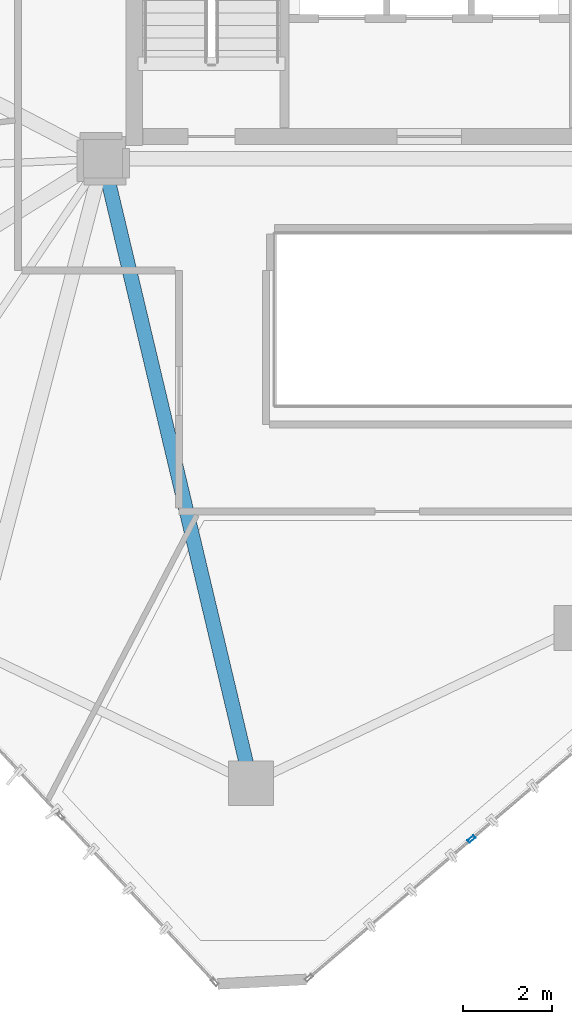
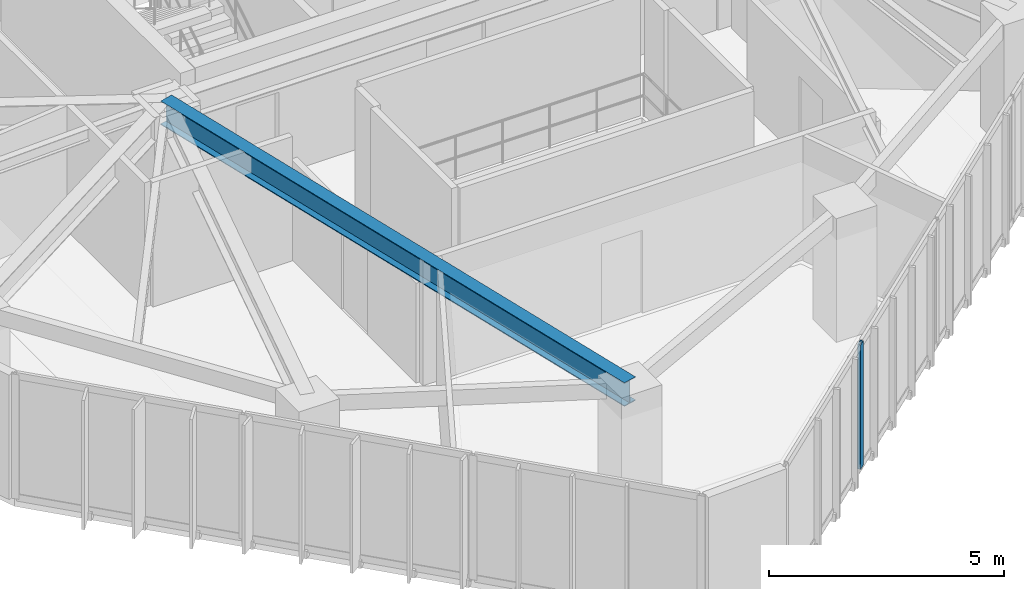
# One storey, part 4 of 20: 1 beam, 1 member, 1 element without a shape of its own.
"""IFC4 building model written with IfcOpenShell, lengths in metres."""

from ifc_helpers import new_model, si_unit, direction, frame, origin, origin_2d, place, context, subcontext, project, spatial, hollow_rectangle, i_section, extrude, source, transform, mapped, material, layer, layer_set, material_profile, profile_set, type_object, type_shapes, element, aggregate, save


model = new_model("IFC4")

# Units and contexts
model_context = context("Model", 3, precision=1e-05, world=origin(), true_north=direction((0.0, 1.0)))
body_context = subcontext(model_context, "Body", "Model", "MODEL_VIEW")
ifc_project = project(units=[si_unit("LENGTHUNIT", "METRE"), si_unit("AREAUNIT", "SQUARE_METRE"), si_unit("VOLUMEUNIT", "CUBIC_METRE"), si_unit("PLANEANGLEUNIT", "RADIAN"), si_unit("MASSUNIT", "GRAM", prefix="KILO")], contexts=[model_context])

# Site, building, storey
site_placement = place(None, origin())
site = spatial("IfcSite", under=ifc_project, at=site_placement, CompositionType="ELEMENT")
building_placement = place(site_placement, origin())
building = spatial("IfcBuilding", under=site, at=building_placement, Name="Talar Marvaseh", CompositionType="ELEMENT")
storey_placement = place(building_placement, frame((0.0, 0.0, 211.699951171875)))
storey = spatial("IfcBuildingStorey", under=building, at=storey_placement, Name="L55", CompositionType="ELEMENT", Elevation=211.699951171875)

# Beam
ifc_material_1 = material(Name="Steel S355", Category="steel")
ifc_material_profile_1 = material_profile(ifc_material_1, i_section(OverallWidth=0.324951171875, OverallDepth=0.615966796875, WebThickness=0.013916015625, FlangeThickness=0.021484375, at=origin_2d()), Name="W610x174")
ifc_profile_set_1 = profile_set([ifc_material_profile_1], Name="Steel S355")
beam_type = type_object("IfcBeamType", Name="Zone 3 Radial Floor Girder W610x174", PredefinedType="BEAM", material=ifc_profile_set_1)
beam_placement = place(storey_placement, frame((22.014892578125, 11.51904296875, 2.922119140625), z_axis=(-0.230707708791, 0.973023099985, 0.0), x_axis=(-0.973023099985, -0.230707708791, 0.0)))
element("IfcBeam", 1, at=beam_placement, inside=storey, type_object=beam_type, Name="L55 Zone 3 Radial Floor Girder W610x174", PredefinedType="BEAM", context=body_context, shape_type="SweptSolid", body=[
    extrude(i_section(OverallWidth=0.324951171875, OverallDepth=0.615966796875, WebThickness=0.013916015625, FlangeThickness=0.021484375, at=origin_2d()), origin(), (0.0, 0.0, 1.0), 14.36865234375),
])

# Curtain wall, member
ifc_material_2 = material(Name="Architectural Aluminium", Category="aluminium")
ifc_layer = layer(ifc_material_2, 0.18994140625)
ifc_layer_set = layer_set([ifc_layer], Name="Architectural Aluminium")
curtain_wall_type = type_object("IfcCurtainWallType", Name="Unitised Solar Atelier Curtain Wall Z3", PredefinedType="NOTDEFINED", material=ifc_layer_set)
curtain_wall_placement = place(storey_placement, origin())
curtain_wall = element("IfcCurtainWall", 2, at=curtain_wall_placement, inside=storey, type_object=curtain_wall_type, Name="L55 Unitised Solar Atelier Curtain Wall Z3", PredefinedType="NOTDEFINED")
ifc_material_profile_2 = material_profile(ifc_material_2, hollow_rectangle(XDim=0.074951171875, YDim=0.179931640625, WallThickness=0.0048828125, at=origin_2d()), Name="RHS180x75x5")
ifc_profile_set_2 = profile_set([ifc_material_profile_2], Name="Architectural Aluminium")
member_type = type_object("IfcMemberType", Name="Unitised Curtain Wall Standard Mullion RHS180x75x5", PredefinedType="MULLION", material=ifc_profile_set_2)
shared_shape = source(origin(), body_context, "Body", "SweptSolid", [
    extrude(hollow_rectangle(XDim=0.074951171875, YDim=0.179931640625, WallThickness=0.0048828125, at=origin_2d()), origin(), (0.0, 0.0, 1.0), 3.22998046875),
])
type_shapes(member_type, [shared_shape])
member_placement = place(storey_placement, frame((26.950927734375, 10.2705078125, 0.0), z_axis=(0.0, 0.0, 1.0), x_axis=(0.649564719149, -0.760306303826, 0.0)))
member = element("IfcMember", 3, at=member_placement, type_object=member_type, Name="CW-Z3 mullion 4", PredefinedType="MULLION", context=body_context, shape_type="MappedRepresentation", body=[
    mapped(shared_shape, transform((0.0, 0.0, 0.0), x_axis=(1.0, 0.0, 0.0), y_axis=(0.0, 1.0, 0.0), z_axis=(0.0, 0.0, 1.0), scale=1.0)),
])
aggregate(curtain_wall, [member])

save(model, "model.ifc")
